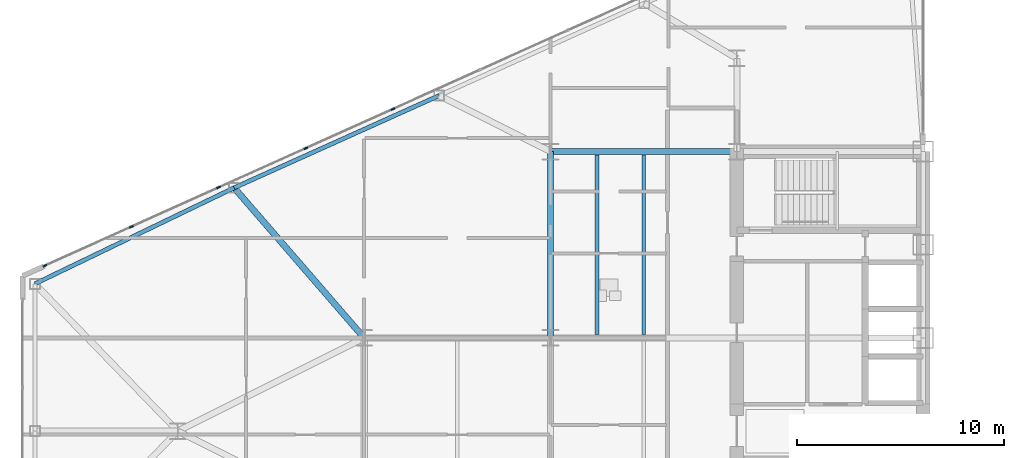
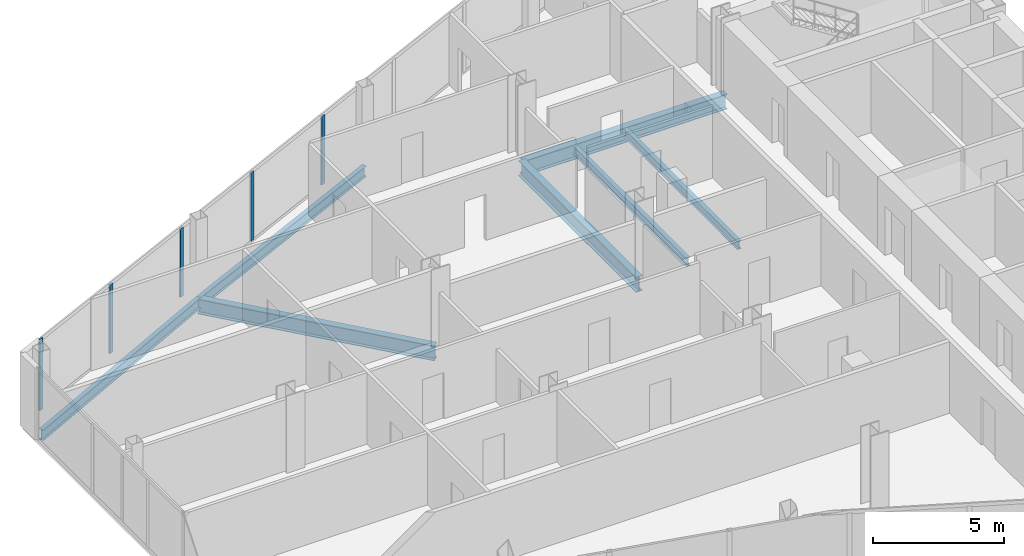
# One storey, part 7 of 27: 7 beams, 5 members, 1 element without a shape of its own.
"""IFC4 building model written with IfcOpenShell, lengths in metres."""

from ifc_helpers import new_model, si_unit, direction, frame, origin, origin_2d, place, context, subcontext, project, spatial, rectangle, i_section, extrude, source, transform, mapped, material, layer, layer_set, material_profile, profile_set, type_object, type_shapes, element, aggregate, save


model = new_model("IFC4")

# Units and contexts
model_context = context("Model", 3, precision=1e-05, world=origin(), true_north=direction((0.0, 1.0)))
body_context = subcontext(model_context, "Body", "Model", "MODEL_VIEW")
ifc_project = project(units=[si_unit("LENGTHUNIT", "METRE"), si_unit("AREAUNIT", "SQUARE_METRE"), si_unit("VOLUMEUNIT", "CUBIC_METRE"), si_unit("PLANEANGLEUNIT", "RADIAN"), si_unit("MASSUNIT", "GRAM", prefix="KILO")], contexts=[model_context])

# Site, building, storey
site_placement = place(None, origin())
site = spatial("IfcSite", under=ifc_project, at=site_placement, CompositionType="ELEMENT")
building_placement = place(site_placement, origin())
building = spatial("IfcBuilding", under=site, at=building_placement, Name="Seokmaru Belvedere", CompositionType="ELEMENT")
storey_placement = place(building_placement, frame((0.0, 0.0, 83.699951171875)))
storey = spatial("IfcBuildingStorey", under=building, at=storey_placement, Name="L22", CompositionType="ELEMENT", Elevation=83.699951171875)

# Beams
ifc_material_1 = material(Name="Steel SM355 (355 MPa)", Category="steel")
ifc_material_profile_1 = material_profile(ifc_material_1, i_section(OverallWidth=0.300048828125, OverallDepth=0.699951171875, WebThickness=0.012939453125, FlangeThickness=0.02392578125, at=origin_2d()), Name="H-700x300x13x24")
ifc_profile_set_1 = profile_set([ifc_material_profile_1], Name="Steel SM355 (355 MPa)")
beam_type_1 = type_object("IfcBeamType", Name="Primary Floor Girder H-700", PredefinedType="BEAM", material=ifc_profile_set_1)
shared_shape_1 = source(origin(), body_context, "Body", "SweptSolid", [
    extrude(i_section(OverallWidth=0.300048828125, OverallDepth=0.699951171875, WebThickness=0.012939453125, FlangeThickness=0.02392578125, at=origin_2d()), origin(), (0.0, 0.0, 1.0), 9.0),
])
for number, where, z_axis, x_axis, name in (
    (1, (-45.5, 4.5, -0.570068359375), (0.0, 1.0, 0.0), (-1.0, 0.0, 0.0), "L22 W Interior Grid Girder 3"),
    (2, (-45.5, 13.5, -0.570068359375), (1.0, 0.0, 0.0), (0.0, 1.0, 0.0), "L22 W Wing Primary Girder 4"),
):
    element("IfcBeam", number, at=place(storey_placement, frame(where, z_axis=z_axis, x_axis=x_axis)), inside=storey, type_object=beam_type_1, Name=name, PredefinedType="BEAM", context=body_context, shape_type="MappedRepresentation", body=[
        mapped(shared_shape_1, transform((0.0, 0.0, 0.0), scale=1.0)),
    ])
ifc_material_profile_2 = material_profile(ifc_material_1, i_section(OverallWidth=0.18505859375, OverallDepth=0.389892578125, WebThickness=0.008056640625, FlangeThickness=0.011962890625, at=origin_2d()), Name="H-390x185x8x12")
ifc_profile_set_2 = profile_set([ifc_material_profile_2], Name="Steel SM355 (355 MPa)")
beam_type_2 = type_object("IfcBeamType", Name="Secondary Floor Joist H-350", PredefinedType="JOIST", material=ifc_profile_set_2)
shared_shape_2 = source(origin(), body_context, "Body", "SweptSolid", [
    extrude(i_section(OverallWidth=0.18505859375, OverallDepth=0.389892578125, WebThickness=0.008056640625, FlangeThickness=0.011962890625, at=origin_2d()), origin(), (0.0, 0.0, 1.0), 8.68994140625),
])
type_shapes(beam_type_2, [shared_shape_2])
for number, where, z_axis, x_axis, name in (
    (3, (-43.25, 4.655029296875, -0.4150390625), (0.0, 1.0, 0.0), (-1.0, 0.0, 0.0), "L22 W Wing Inner Secondary Joist 2"),
    (4, (-41.0, 4.655029296875, -0.4150390625), (0.0, 1.0, 0.0), (-1.0, 0.0, 0.0), "L22 W Secondary Floor Joist 3"),
):
    element("IfcBeam", number, at=place(storey_placement, frame(where, z_axis=z_axis, x_axis=x_axis)), inside=storey, type_object=beam_type_2, Name=name, PredefinedType="JOIST", context=body_context, shape_type="MappedRepresentation", body=[
        mapped(shared_shape_2, transform((0.0, 0.0, 0.0), scale=1.0)),
    ])
ifc_material_profile_3 = material_profile(ifc_material_1, i_section(OverallWidth=0.199951171875, OverallDepth=0.5, WebThickness=0.010009765625, FlangeThickness=0.01611328125, at=origin_2d()), Name="H-500x200x10x16")
ifc_profile_set_3 = profile_set([ifc_material_profile_3], Name="Steel SM355 (355 MPa)")
beam_type_3 = type_object("IfcBeamType", Name="Perimeter Spandrel Beam H-500", PredefinedType="SPANDREL", material=ifc_profile_set_3)
shared_shape_3 = source(origin(), body_context, "Body", "SweptSolid", [
    extrude(i_section(OverallWidth=0.199951171875, OverallDepth=0.5, WebThickness=0.010009765625, FlangeThickness=0.01611328125, at=origin_2d()), origin(), (0.0, 0.0, 1.0), 10.85888671875),
])
beam_1_placement = place(storey_placement, frame((-50.875, 16.205322265625, -0.469970703125), z_axis=(-0.911925291223, -0.410356263785, 0.0), x_axis=(0.410356263785, -0.911925291223, 0.0)))
element("IfcBeam", 5, at=beam_1_placement, inside=storey, type_object=beam_type_3, Name="L22 W Faceted Flank Spandrel N-3", PredefinedType="SPANDREL", context=body_context, shape_type="MappedRepresentation", body=[
    mapped(shared_shape_3, transform((0.0, 0.0, 0.0), scale=1.0)),
])
shared_shape_4 = source(origin(), body_context, "Body", "SweptSolid", [
    extrude(i_section(OverallWidth=0.199951171875, OverallDepth=0.5, WebThickness=0.010009765625, FlangeThickness=0.01611328125, at=origin_2d()), origin(), (0.0, 0.0, 1.0), 10.681396484375),
])
type_shapes(beam_type_3, [shared_shape_3, shared_shape_4])
beam_2_placement = place(storey_placement, frame((-60.777587890625, 11.749267578125, -0.469970703125), z_axis=(-0.900846426616, -0.434137899352, 0.0), x_axis=(0.434137899352, -0.900846426616, 0.0)))
element("IfcBeam", 6, at=beam_2_placement, inside=storey, type_object=beam_type_3, Name="L22 W Faceted Flank Spandrel N-4", PredefinedType="SPANDREL", context=body_context, shape_type="MappedRepresentation", body=[
    mapped(shared_shape_4, transform((0.0, 0.0, 0.0), scale=1.0)),
])
shared_shape_5 = source(origin(), body_context, "Body", "SweptSolid", [
    extrude(i_section(OverallWidth=0.300048828125, OverallDepth=0.699951171875, WebThickness=0.012939453125, FlangeThickness=0.02392578125, at=origin_2d()), origin(), (0.0, 0.0, 1.0), 9.589599609375),
])
type_shapes(beam_type_1, [shared_shape_1, shared_shape_5])
beam_3_placement = place(storey_placement, frame((-60.777587890625, 11.749267578125, -0.570068359375), z_axis=(0.654626140929, -0.755952786629, 0.0), x_axis=(0.755952786629, 0.654626140929, 0.0)))
element("IfcBeam", 7, at=beam_3_placement, inside=storey, type_object=beam_type_1, Name="L22 W Flank Radial Floor Girder N-3", PredefinedType="BEAM", context=body_context, shape_type="MappedRepresentation", body=[
    mapped(shared_shape_5, transform((0.0, 0.0, 0.0), scale=1.0)),
])

# Curtain wall, members
ifc_material_2 = material(Name="Bronze Triple Insulating Glass", Category="glass")
ifc_layer = layer(ifc_material_2, 0.195068359375)
ifc_layer_set = layer_set([ifc_layer], Name="Bronze Triple Insulating Glass")
curtain_wall_type = type_object("IfcCurtainWallType", Name="Lower-Mid Tapered Curtain Wall System CW-3", PredefinedType="NOTDEFINED", material=ifc_layer_set)
curtain_wall_placement = place(storey_placement, origin())
curtain_wall = element("IfcCurtainWall", 8, at=curtain_wall_placement, inside=storey, type_object=curtain_wall_type, Name="L22 Curtain Wall WF3", PredefinedType="NOTDEFINED")
ifc_material_3 = material(Name="Anodised Bronze Aluminium", Category="aluminium")
ifc_material_profile_4 = material_profile(ifc_material_3, rectangle(XDim=0.070068359375, YDim=0.195068359375, at=origin_2d()), Name="CW-M-70x195")
ifc_profile_set_4 = profile_set([ifc_material_profile_4], Name="Anodised Bronze Aluminium")
member_type = type_object("IfcMemberType", Name="Bronze Unitised Mullion 70x195", PredefinedType="MULLION", material=ifc_profile_set_4)
shared_shape_6 = source(origin(), body_context, "Body", "SweptSolid", [
    extrude(rectangle(XDim=0.070068359375, YDim=0.195068359375, at=origin_2d()), origin(), (0.0, 0.0, 1.0), 3.340087890625),
])
member_1_placement = place(storey_placement, frame((-69.91943359375, 7.986328125, 0.0), z_axis=(0.0, 0.0, 1.0), x_axis=(0.41036554765, -0.91192111353, 0.0)))
member_1 = element("IfcMember", 9, at=member_1_placement, type_object=member_type, Name="CW:L22:WF3 Mullion 10", PredefinedType="MULLION", context=body_context, shape_type="MappedRepresentation", body=[
    mapped(shared_shape_6, transform((0.0, 0.0, 0.0), scale=1.0)),
])
shared_shape_7 = source(origin(), body_context, "Body", "SweptSolid", [
    extrude(rectangle(XDim=0.070068359375, YDim=0.195068359375, at=origin_2d()), origin(), (0.0, 0.0, 1.0), 3.199951171875),
])
type_shapes(member_type, [shared_shape_6, shared_shape_7])
member_2_placement = place(storey_placement, frame((-53.105712890625, 15.552490234375, 0.070068359375), z_axis=(0.0, 0.0, 1.0), x_axis=(0.41036554765, -0.91192111353, 0.0)))
member_2 = element("IfcMember", 10, at=member_2_placement, type_object=member_type, Name="CW:L22:WF3 Mullion 6", PredefinedType="MULLION", context=body_context, shape_type="MappedRepresentation", body=[
    mapped(shared_shape_7, transform((0.0, 0.0, 0.0), scale=1.0)),
])
member_3_placement = place(storey_placement, frame((-57.317138671875, 13.6572265625, 0.070068359375), z_axis=(0.0, 0.0, 1.0), x_axis=(0.41036554765, -0.91192111353, 0.0)))
member_3 = element("IfcMember", 11, at=member_3_placement, type_object=member_type, Name="CW:L22:WF3 Mullion 7", PredefinedType="MULLION", context=body_context, shape_type="MappedRepresentation", body=[
    mapped(shared_shape_7, transform((0.0, 0.0, 0.0), scale=1.0)),
])
member_4_placement = place(storey_placement, frame((-61.528564453125, 11.76220703125, 0.070068359375), z_axis=(0.0, 0.0, 1.0), x_axis=(0.41036554765, -0.91192111353, 0.0)))
member_4 = element("IfcMember", 12, at=member_4_placement, type_object=member_type, Name="CW:L22:WF3 Mullion 8", PredefinedType="MULLION", context=body_context, shape_type="MappedRepresentation", body=[
    mapped(shared_shape_7, transform((0.0, 0.0, 0.0), scale=1.0)),
])
member_5_placement = place(storey_placement, frame((-65.739990234375, 9.866943359375, 0.070068359375), z_axis=(0.0, 0.0, 1.0), x_axis=(0.41036554765, -0.91192111353, 0.0)))
member_5 = element("IfcMember", 13, at=member_5_placement, type_object=member_type, Name="CW:L22:WF3 Mullion 9", PredefinedType="MULLION", context=body_context, shape_type="MappedRepresentation", body=[
    mapped(shared_shape_7, transform((0.0, 0.0, 0.0), scale=1.0)),
])
aggregate(curtain_wall, [member_2, member_3, member_4, member_5, member_1])

save(model, "model.ifc")
